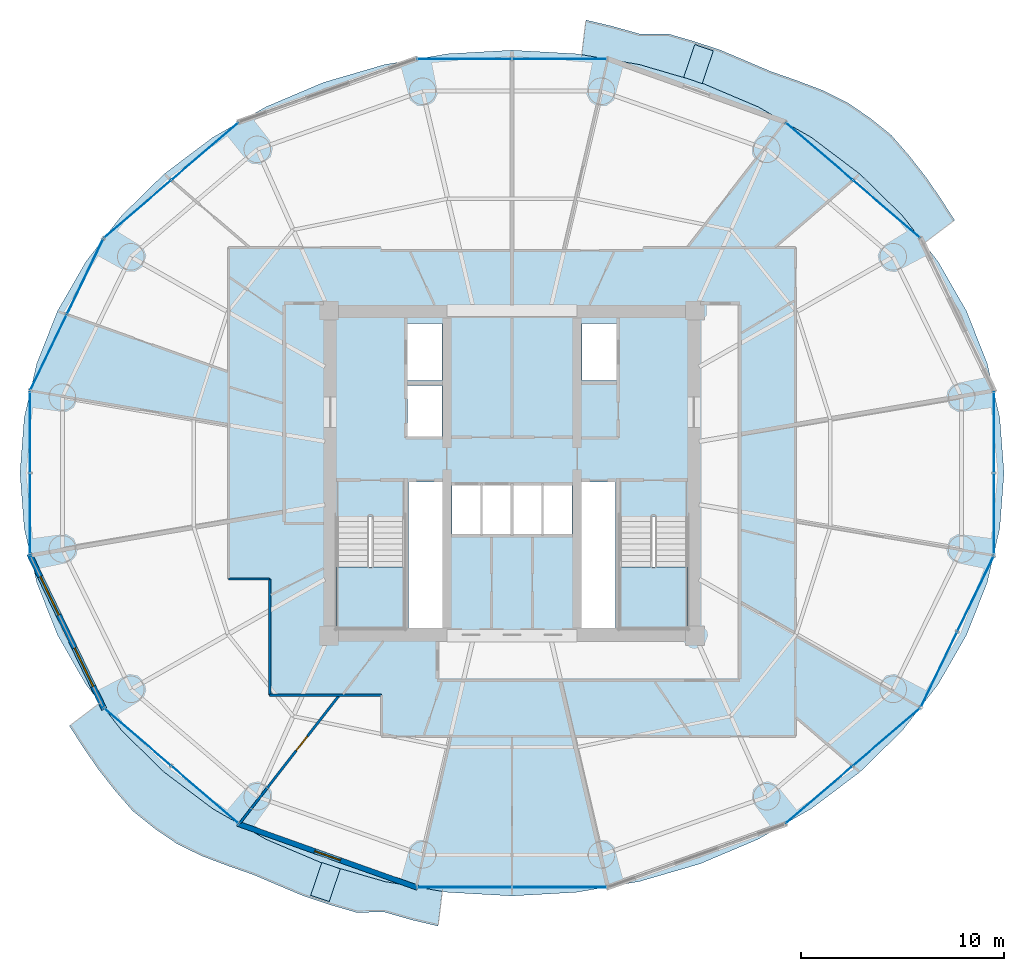
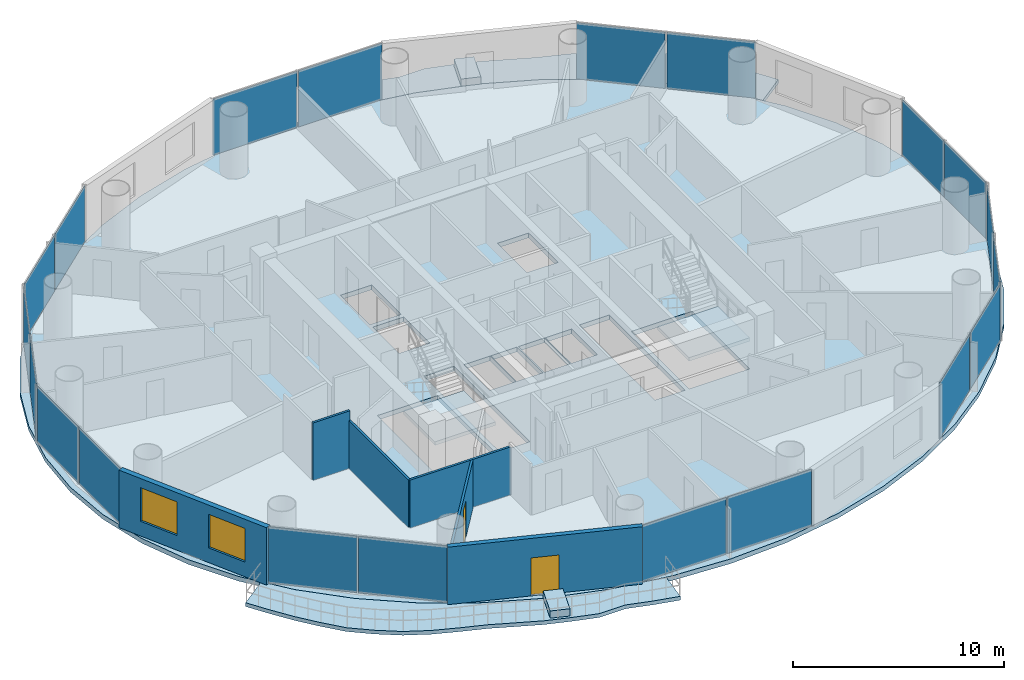
# One storey, part 19 of 26: 20 plates, 7 slabs, 6 walls, 2 doors, 2 windows, 4 openings, 12 elements without a shape of their own.
"""IFC4 building model written with IfcOpenShell, lengths in metres."""

from ifc_helpers import new_model, si_unit, direction, frame, frame_2d, origin, origin_2d, place, context, subcontext, project, spatial, polyline, rectangle, outline, extrude, source, transform, mapped, material, layer, layer_set, type_object, element, fill, aggregate, save


model = new_model("IFC4")

# Units and contexts
model_context = context("Model", 3, precision=1e-05, world=origin(), true_north=direction((-0.2419218956, 0.970295726276)))
body_context = subcontext(model_context, "Body", "Model", "MODEL_VIEW")
ifc_project = project(units=[si_unit("LENGTHUNIT", "METRE"), si_unit("AREAUNIT", "SQUARE_METRE"), si_unit("VOLUMEUNIT", "CUBIC_METRE"), si_unit("PLANEANGLEUNIT", "RADIAN"), si_unit("MASSUNIT", "GRAM", prefix="KILO")], contexts=[model_context])

# Site, building, storey
site_placement = place(None, origin())
site = spatial("IfcSite", under=ifc_project, at=site_placement, CompositionType="ELEMENT")
building_placement = place(site_placement, origin())
building = spatial("IfcBuilding", under=site, at=building_placement, Name="Cobrevalo Terracotta Tower", CompositionType="ELEMENT")
storey_placement = place(building_placement, frame((0.0, 0.0, 135.39990234375)))
storey = spatial("IfcBuildingStorey", under=building, at=storey_placement, Name="L35", CompositionType="ELEMENT", Elevation=135.39990234375)

# Stair, slab
ifc_material_1 = material(Name="Concrete C50", Category="concrete")
stair_type = type_object("IfcStairType", Name="Core protected escape dogleg stair 1600", PredefinedType="HALF_TURN_STAIR", material=ifc_material_1)
stair_1_placement = place(storey_placement, origin())
stair_1 = element("IfcStair", 1, at=stair_1_placement, inside=storey, type_object=stair_type, Name="L35 Protected exit stair ST-1", PredefinedType="HALF_TURN_STAIR")
ifc_layer_1 = layer(ifc_material_1, 0.199951171875)
ifc_layer_set_1 = layer_set([ifc_layer_1], Name="Concrete C50")
slab_type_1 = type_object("IfcSlabType", Name="Reinforced Concrete Stair Landing 200", PredefinedType="LANDING", material=ifc_layer_set_1)
slab_1_placement = place(storey_placement, frame((0.0, 0.0, 1.60009765625)))
slab_1 = element("IfcSlab", 2, at=slab_1_placement, type_object=slab_type_1, Name="ST-1 landing 1", PredefinedType="LANDING", context=body_context, shape_type="SweptSolid", body=[
    extrude(outline(polyline([(29.375, 22.179931640625), (29.375, 19.175048828125), (32.695068359375, 19.175048828125), (32.695068359375, 22.179931640625), (29.375, 22.179931640625)])), origin(), (0.0, 0.0, 1.0), 0.199951171875),
])
aggregate(stair_1, [slab_1])

stair_2_placement = place(storey_placement, origin())
stair_2 = element("IfcStair", 3, at=stair_2_placement, inside=storey, type_object=stair_type, Name="L35 Protected exit stair ST-2", PredefinedType="HALF_TURN_STAIR")
slab_2_placement = place(storey_placement, frame((0.0, 0.0, 1.60009765625)))
slab_2 = element("IfcSlab", 4, at=slab_2_placement, type_object=slab_type_1, Name="ST-2 landing 1", PredefinedType="LANDING", context=body_context, shape_type="SweptSolid", body=[
    extrude(outline(polyline([(43.304931640625, 22.179931640625), (43.304931640625, 19.175048828125), (46.625, 19.175048828125), (46.625, 22.179931640625), (43.304931640625, 22.179931640625)])), origin(), (0.0, 0.0, 1.0), 0.199951171875),
])
aggregate(stair_2, [slab_2])

# Slabs
ifc_material_2 = material(Name="Concrete C45", Category="concrete")
ifc_layer_2 = layer(ifc_material_2, 0.219970703125)
ifc_layer_set_2 = layer_set([ifc_layer_2], Name="Concrete C45")
slab_type_2 = type_object("IfcSlabType", Name="Spiralling cantilevered balcony lobe slab 220 mm", PredefinedType="FLOOR", material=ifc_layer_set_2)
slab_3_placement = place(storey_placement, frame((0.0, 0.0, -0.219970703125)))
element("IfcSlab", 5, at=slab_3_placement, inside=storey, type_object=slab_type_2, Name="L35 spiralling arc balcony slab lobe 1", PredefinedType="FLOOR", context=body_context, shape_type="SweptSolid", body=[
    extrude(outline(polyline([(59.774169921875, 39.22900390625), (59.079833984375, 40.3076171875), (58.340087890625, 41.3779296875), (57.524658203125, 42.41796875), (56.653564453125, 43.420654296875), (55.607177734375, 44.2626953125), (54.5, 45.020263671875), (53.285888671875, 45.62109375), (52.010498046875, 46.10498046875), (50.73779296875, 46.549560546875), (49.4990234375, 47.077392578125), (48.259765625, 47.6005859375), (46.97509765625, 48.026611328125), (45.670166015625, 48.407470703125), (44.27685546875, 48.396484375), (42.968505859375, 48.76953125), (41.639892578125, 49.08447265625), (41.4296875, 47.377685546875), (44.263916015625, 46.893310546875), (47.26171875, 46.0185546875), (50.10107421875, 44.81494140625), (52.733154296875, 43.30322265625), (55.11328125, 41.50927734375), (57.20068359375, 39.46337890625), (58.266845703125, 38.092041015625), (59.774169921875, 39.22900390625)])), origin(), (0.0, 0.0, 1.0), 0.219970703125),
])
slab_4_placement = place(storey_placement, frame((0.0, 0.0, -0.219970703125)))
element("IfcSlab", 6, at=slab_4_placement, inside=storey, type_object=slab_type_2, Name="L35 spiralling arc balcony slab lobe 2", PredefinedType="FLOOR", context=body_context, shape_type="SweptSolid", body=[
    extrude(outline(polyline([(16.225830078125, 14.370849609375), (16.920166015625, 13.29248046875), (17.659912109375, 12.221923828125), (18.475341796875, 11.18212890625), (19.346435546875, 10.179443359375), (20.392822265625, 9.33740234375), (21.5, 8.579833984375), (22.714111328125, 7.97900390625), (23.989501953125, 7.494873046875), (25.26220703125, 7.05029296875), (26.5009765625, 6.522705078125), (27.740234375, 5.999267578125), (29.02490234375, 5.573486328125), (30.329833984375, 5.1923828125), (31.72314453125, 5.203369140625), (33.031494140625, 4.830322265625), (34.360107421875, 4.515625), (34.5703125, 6.22216796875), (31.736083984375, 6.706787109375), (28.73828125, 7.58154296875), (25.89892578125, 8.784912109375), (23.266845703125, 10.296630859375), (20.88671875, 12.0908203125), (18.79931640625, 14.136474609375), (17.733154296875, 15.5078125), (16.225830078125, 14.370849609375)])), origin(), (0.0, 0.0, 1.0), 0.219970703125),
])
ifc_material_3 = material(Name="Precast concrete C45", Category="concrete")
ifc_layer_3 = layer(ifc_material_3, 0.419921875)
ifc_layer_set_3 = layer_set([ifc_layer_3], Name="Precast concrete C45")
slab_type_3 = type_object("IfcSlabType", Name="Structural tree planter trough base 420 mm", PredefinedType="USERDEFINED", material=ifc_layer_set_3)
slab_5_placement = place(storey_placement, origin())
element("IfcSlab", 7, at=slab_5_placement, inside=storey, type_object=slab_type_3, Name="L35 structural tree planter trough 1", ObjectType="PLANTER", PredefinedType="USERDEFINED", context=body_context, shape_type="SweptSolid", body=[
    extrude(outline(polyline([(47.35302734375, 45.95654296875), (47.900634765625, 47.56591796875), (46.991943359375, 47.875), (46.4443359375, 46.265625), (47.35302734375, 45.95654296875)])), origin(), (0.0, 0.0, 1.0), 0.420166015625),
])
slab_6_placement = place(storey_placement, origin())
element("IfcSlab", 8, at=slab_6_placement, inside=storey, type_object=slab_type_3, Name="L35 structural tree planter trough 2", ObjectType="PLANTER", PredefinedType="USERDEFINED", context=body_context, shape_type="SweptSolid", body=[
    extrude(outline(polyline([(28.64697265625, 7.6435546875), (28.099365234375, 6.0341796875), (29.008056640625, 5.724853515625), (29.5556640625, 7.334228515625), (28.64697265625, 7.6435546875)])), origin(), (0.0, 0.0, 1.0), 0.420166015625),
])
ifc_layer_4 = layer(ifc_material_1, 0.27001953125)
ifc_layer_set_4 = layer_set([ifc_layer_4], Name="Concrete C50")
slab_type_4 = type_object("IfcSlabType", Name="Zone Z3 elliptical floor plate 270 mm", PredefinedType="FLOOR", material=ifc_layer_set_4)
slab_7_placement = place(storey_placement, frame((0.0, 0.0, -0.27001953125)))
element("IfcSlab", 9, at=slab_7_placement, inside=storey, type_object=slab_type_4, Name="L35 indoor elliptical floor slab", PredefinedType="FLOOR", context=body_context, shape_type="SweptSolid", body=[
    extrude(outline(polyline([(61.992919921875, 24.0849609375), (61.37548828125, 21.41650390625), (60.35791015625, 18.840087890625), (58.957763671875, 16.39990234375), (57.19921875, 14.1376953125), (55.112060546875, 12.09228515625), (52.73193359375, 10.29833984375), (50.10009765625, 8.78662109375), (47.260986328125, 7.583251953125), (44.263427734375, 6.708740234375), (41.15869140625, 6.177978515625), (38.0, 6.0), (34.84130859375, 6.177978515625), (31.736572265625, 6.708740234375), (28.739013671875, 7.583251953125), (25.89990234375, 8.78662109375), (23.26806640625, 10.29833984375), (20.887939453125, 12.09228515625), (18.80078125, 14.1376953125), (17.042236328125, 16.39990234375), (15.64208984375, 18.840087890625), (14.62451171875, 21.41650390625), (14.007080078125, 24.0849609375), (13.800048828125, 26.800048828125), (14.007080078125, 29.514892578125), (14.62451171875, 32.183349609375), (15.64208984375, 34.759765625), (17.042236328125, 37.199951171875), (18.80078125, 39.462158203125), (20.887939453125, 41.5078125), (23.26806640625, 43.3017578125), (25.89990234375, 44.813232421875), (28.739013671875, 46.0166015625), (31.736572265625, 46.891357421875), (34.84130859375, 47.422119140625), (38.0, 47.60009765625), (41.15869140625, 47.422119140625), (44.263427734375, 46.891357421875), (47.260986328125, 46.0166015625), (50.10009765625, 44.813232421875), (52.73193359375, 43.3017578125), (55.112060546875, 41.5078125), (57.19921875, 39.462158203125), (58.957763671875, 37.199951171875), (60.35791015625, 34.759765625), (61.37548828125, 32.183349609375), (61.992919921875, 29.514892578125), (62.199951171875, 26.800048828125), (61.992919921875, 24.0849609375)]), holes=[polyline([(32.695068359375, 19.175048828125), (32.695068359375, 24.659912109375), (29.375, 24.659912109375), (29.375, 19.175048828125), (32.695068359375, 19.175048828125)]), polyline([(34.574951171875, 26.360107421875), (32.919921875, 26.360107421875), (32.919921875, 19.175048828125), (34.574951171875, 19.175048828125), (34.574951171875, 26.360107421875)]), polyline([(36.47998046875, 26.25), (35.050048828125, 26.25), (35.050048828125, 23.800048828125), (36.47998046875, 23.800048828125), (36.47998046875, 26.25)]), polyline([(37.9599609375, 23.800048828125), (37.9599609375, 26.25), (36.530029296875, 26.25), (36.530029296875, 23.800048828125), (37.9599609375, 23.800048828125)]), polyline([(34.550048828125, 28.60009765625), (34.550048828125, 31.10009765625), (32.85009765625, 31.10009765625), (32.85009765625, 28.60009765625), (34.550048828125, 28.60009765625)]), polyline([(34.550048828125, 34.14990234375), (32.85009765625, 34.14990234375), (32.85009765625, 31.35009765625), (34.550048828125, 31.35009765625), (34.550048828125, 34.14990234375)]), polyline([(43.304931640625, 19.175048828125), (46.625, 19.175048828125), (46.625, 24.659912109375), (43.304931640625, 24.659912109375), (43.304931640625, 19.175048828125)]), polyline([(43.080078125, 19.175048828125), (43.080078125, 26.360107421875), (41.425048828125, 26.360107421875), (41.425048828125, 19.175048828125), (43.080078125, 19.175048828125)]), polyline([(39.469970703125, 26.25), (38.0400390625, 26.25), (38.0400390625, 23.800048828125), (39.469970703125, 23.800048828125), (39.469970703125, 26.25)]), polyline([(40.949951171875, 23.800048828125), (40.949951171875, 26.25), (39.52001953125, 26.25), (39.52001953125, 23.800048828125), (40.949951171875, 23.800048828125)]), polyline([(43.14990234375, 31.35009765625), (43.14990234375, 34.14990234375), (41.449951171875, 34.14990234375), (41.449951171875, 31.35009765625), (43.14990234375, 31.35009765625)])]), origin(), (0.0, 0.0, 1.0), 0.27001953125),
])

# Curtain wall, plates
ifc_material_4 = material(Name="Anodized aluminium", Category="aluminium")
curtain_wall_type = type_object("IfcCurtainWallType", Name="Mid-tower high-wind unitised curtain wall CW-U2", PredefinedType="NOTDEFINED", material=ifc_material_4)
curtain_wall_1_placement = place(storey_placement, origin())
curtain_wall_1 = element("IfcCurtainWall", 10, at=curtain_wall_1_placement, inside=storey, type_object=curtain_wall_type, Name="L35 curtain wall CW-L35-S02", PredefinedType="NOTDEFINED")
ifc_material_5 = material(Name="Solar-control low-E double glazing", Category="glass")
ifc_layer_5 = layer(ifc_material_5, 0.028076171875)
ifc_layer_set_5 = layer_set([ifc_layer_5], Name="Solar-control low-E double glazing")
plate_type = type_object("IfcPlateType", Name="Tower solar-control low-E vision glass panel 28 mm", PredefinedType="CURTAIN_PANEL", material=ifc_layer_set_5)
shared_shape_1 = source(origin(), body_context, "Body", "SweptSolid", [
    extrude(rectangle(XDim=4.276123046875, YDim=0.035888671875, at=origin_2d()), origin(), (0.0, 0.0, 1.0), 3.25),
])
plate_1_placement = place(storey_placement, frame((56.414306640625, 39.784912109375, 0.0400390625), z_axis=(0.0, 0.0, 1.0), x_axis=(-0.758436996112, 0.651746363955, 0.0)))
plate_1 = element("IfcPlate", 11, at=plate_1_placement, type_object=plate_type, Name="CW-L35-S02 glazing panel B01", PredefinedType="CURTAIN_PANEL", context=body_context, shape_type="MappedRepresentation", body=[
    mapped(shared_shape_1, transform((0.0, 0.0, 0.0), scale=1.0)),
])
plate_2_placement = place(storey_placement, frame((53.1103515625, 42.6240234375, 0.0400390625), z_axis=(0.0, 0.0, 1.0), x_axis=(-0.758436996112, 0.651746363955, 0.0)))
plate_2 = element("IfcPlate", 12, at=plate_2_placement, type_object=plate_type, Name="CW-L35-S02 glazing panel B02", PredefinedType="CURTAIN_PANEL", context=body_context, shape_type="MappedRepresentation", body=[
    mapped(shared_shape_1, transform((0.0, 0.0, 0.0), scale=1.0)),
])
aggregate(curtain_wall_1, [plate_1, plate_2])

curtain_wall_2_placement = place(storey_placement, origin())
curtain_wall_2 = element("IfcCurtainWall", 13, at=curtain_wall_2_placement, inside=storey, type_object=curtain_wall_type, Name="L35 curtain wall CW-L35-S06", PredefinedType="NOTDEFINED")
plate_3_placement = place(storey_placement, frame((22.8896484375, 42.6240234375, 0.0400390625), z_axis=(0.0, 0.0, 1.0), x_axis=(-0.758436996112, -0.651746363955, 0.0)))
plate_3 = element("IfcPlate", 14, at=plate_3_placement, type_object=plate_type, Name="CW-L35-S06 glazing panel B01", PredefinedType="CURTAIN_PANEL", context=body_context, shape_type="MappedRepresentation", body=[
    mapped(shared_shape_1, transform((0.0, 0.0, 0.0), scale=1.0)),
])
plate_4_placement = place(storey_placement, frame((19.585693359375, 39.784912109375, 0.0400390625), z_axis=(0.0, 0.0, 1.0), x_axis=(-0.758436996112, -0.651746363955, 0.0)))
plate_4 = element("IfcPlate", 15, at=plate_4_placement, type_object=plate_type, Name="CW-L35-S06 glazing panel B02", PredefinedType="CURTAIN_PANEL", context=body_context, shape_type="MappedRepresentation", body=[
    mapped(shared_shape_1, transform((0.0, 0.0, 0.0), scale=1.0)),
])
aggregate(curtain_wall_2, [plate_3, plate_4])

curtain_wall_3_placement = place(storey_placement, origin())
curtain_wall_3 = element("IfcCurtainWall", 16, at=curtain_wall_3_placement, inside=storey, type_object=curtain_wall_type, Name="L35 curtain wall CW-L35-S10", PredefinedType="NOTDEFINED")
plate_5_placement = place(storey_placement, frame((19.585693359375, 13.815185546875, 0.0400390625), z_axis=(0.0, 0.0, 1.0), x_axis=(0.758436996112, -0.651746363955, 0.0)))
plate_5 = element("IfcPlate", 17, at=plate_5_placement, type_object=plate_type, Name="CW-L35-S10 glazing panel B01", PredefinedType="CURTAIN_PANEL", context=body_context, shape_type="MappedRepresentation", body=[
    mapped(shared_shape_1, transform((0.0, 0.0, 0.0), scale=1.0)),
])
plate_6_placement = place(storey_placement, frame((22.8896484375, 10.97607421875, 0.0400390625), z_axis=(0.0, 0.0, 1.0), x_axis=(0.758436996112, -0.651746363955, 0.0)))
plate_6 = element("IfcPlate", 18, at=plate_6_placement, type_object=plate_type, Name="CW-L35-S10 glazing panel B02", PredefinedType="CURTAIN_PANEL", context=body_context, shape_type="MappedRepresentation", body=[
    mapped(shared_shape_1, transform((0.0, 0.0, 0.0), scale=1.0)),
])
aggregate(curtain_wall_3, [plate_5, plate_6])

curtain_wall_4_placement = place(storey_placement, origin())
curtain_wall_4 = element("IfcCurtainWall", 19, at=curtain_wall_4_placement, inside=storey, type_object=curtain_wall_type, Name="L35 curtain wall CW-L35-S14", PredefinedType="NOTDEFINED")
plate_7_placement = place(storey_placement, frame((53.1103515625, 10.97607421875, 0.0400390625), z_axis=(0.0, 0.0, 1.0), x_axis=(0.758436996112, 0.651746363955, 0.0)))
plate_7 = element("IfcPlate", 20, at=plate_7_placement, type_object=plate_type, Name="CW-L35-S14 glazing panel B01", PredefinedType="CURTAIN_PANEL", context=body_context, shape_type="MappedRepresentation", body=[
    mapped(shared_shape_1, transform((0.0, 0.0, 0.0), scale=1.0)),
])
plate_8_placement = place(storey_placement, frame((56.414306640625, 13.815185546875, 0.0400390625), z_axis=(0.0, 0.0, 1.0), x_axis=(0.758436996112, 0.651746363955, 0.0)))
plate_8 = element("IfcPlate", 21, at=plate_8_placement, type_object=plate_type, Name="CW-L35-S14 glazing panel B02", PredefinedType="CURTAIN_PANEL", context=body_context, shape_type="MappedRepresentation", body=[
    mapped(shared_shape_1, transform((0.0, 0.0, 0.0), scale=1.0)),
])
aggregate(curtain_wall_4, [plate_7, plate_8])

curtain_wall_5_placement = place(storey_placement, origin())
curtain_wall_5 = element("IfcCurtainWall", 22, at=curtain_wall_5_placement, inside=storey, type_object=curtain_wall_type, Name="L35 curtain wall CW-L35-S04", PredefinedType="NOTDEFINED")
shared_shape_2 = source(origin(), body_context, "Body", "SweptSolid", [
    extrude(rectangle(XDim=4.59521484375, YDim=0.035888671875, at=origin_2d()), origin(), (0.0, 0.0, 1.0), 3.25),
])
plate_9_placement = place(storey_placement, frame((40.337646484375, 47.1708984375, 0.0400390625), z_axis=(0.0, 0.0, 1.0), x_axis=(-1.0, 0.0, 0.0)))
plate_9 = element("IfcPlate", 23, at=plate_9_placement, type_object=plate_type, Name="CW-L35-S04 glazing panel B01", PredefinedType="CURTAIN_PANEL", context=body_context, shape_type="MappedRepresentation", body=[
    mapped(shared_shape_2, transform((0.0, 0.0, 0.0), scale=1.0)),
])
plate_10_placement = place(storey_placement, frame((35.662353515625, 47.1708984375, 0.0400390625), z_axis=(0.0, 0.0, 1.0), x_axis=(-1.0, 0.0, 0.0)))
plate_10 = element("IfcPlate", 24, at=plate_10_placement, type_object=plate_type, Name="CW-L35-S04 glazing panel B02", PredefinedType="CURTAIN_PANEL", context=body_context, shape_type="MappedRepresentation", body=[
    mapped(shared_shape_2, transform((0.0, 0.0, 0.0), scale=1.0)),
])
aggregate(curtain_wall_5, [plate_9, plate_10])

curtain_wall_6_placement = place(storey_placement, origin())
curtain_wall_6 = element("IfcCurtainWall", 25, at=curtain_wall_6_placement, inside=storey, type_object=curtain_wall_type, Name="L35 curtain wall CW-L35-S12", PredefinedType="NOTDEFINED")
plate_11_placement = place(storey_placement, frame((35.662353515625, 6.42919921875, 0.0400390625), z_axis=(0.0, 0.0, 1.0), x_axis=(1.0, 0.0, 0.0)))
plate_11 = element("IfcPlate", 26, at=plate_11_placement, type_object=plate_type, Name="CW-L35-S12 glazing panel B01", PredefinedType="CURTAIN_PANEL", context=body_context, shape_type="MappedRepresentation", body=[
    mapped(shared_shape_2, transform((0.0, 0.0, 0.0), scale=1.0)),
])
plate_12_placement = place(storey_placement, frame((40.337646484375, 6.42919921875, 0.0400390625), z_axis=(0.0, 0.0, 1.0), x_axis=(1.0, 0.0, 0.0)))
plate_12 = element("IfcPlate", 27, at=plate_12_placement, type_object=plate_type, Name="CW-L35-S12 glazing panel B02", PredefinedType="CURTAIN_PANEL", context=body_context, shape_type="MappedRepresentation", body=[
    mapped(shared_shape_2, transform((0.0, 0.0, 0.0), scale=1.0)),
])
aggregate(curtain_wall_6, [plate_11, plate_12])

curtain_wall_7_placement = place(storey_placement, origin())
curtain_wall_7 = element("IfcCurtainWall", 28, at=curtain_wall_7_placement, inside=storey, type_object=curtain_wall_type, Name="L35 curtain wall CW-L35-S07", PredefinedType="NOTDEFINED")
shared_shape_3 = source(origin(), body_context, "Body", "SweptSolid", [
    extrude(rectangle(XDim=4.035888671875, YDim=0.035888671875, at=origin_2d()), origin(), (0.0, 0.0, 1.0), 3.25),
])
plate_13_placement = place(storey_placement, frame((16.992431640625, 36.449462890625, 0.0400390625), z_axis=(0.0, 0.0, 1.0), x_axis=(-0.434209440271, -0.900811945957, 0.0)))
plate_13 = element("IfcPlate", 29, at=plate_13_placement, type_object=plate_type, Name="CW-L35-S07 glazing panel B01", PredefinedType="CURTAIN_PANEL", context=body_context, shape_type="MappedRepresentation", body=[
    mapped(shared_shape_3, transform((0.0, 0.0, 0.0), scale=1.0)),
])
plate_14_placement = place(storey_placement, frame((15.205322265625, 32.741943359375, 0.0400390625), z_axis=(0.0, 0.0, 1.0), x_axis=(-0.434209440271, -0.900811945957, 0.0)))
plate_14 = element("IfcPlate", 30, at=plate_14_placement, type_object=plate_type, Name="CW-L35-S07 glazing panel B02", PredefinedType="CURTAIN_PANEL", context=body_context, shape_type="MappedRepresentation", body=[
    mapped(shared_shape_3, transform((0.0, 0.0, 0.0), scale=1.0)),
])
aggregate(curtain_wall_7, [plate_13, plate_14])

curtain_wall_8_placement = place(storey_placement, origin())
curtain_wall_8 = element("IfcCurtainWall", 31, at=curtain_wall_8_placement, inside=storey, type_object=curtain_wall_type, Name="L35 curtain wall CW-L35-S15", PredefinedType="NOTDEFINED")
plate_15_placement = place(storey_placement, frame((59.007568359375, 17.150634765625, 0.0400390625), z_axis=(0.0, 0.0, 1.0), x_axis=(0.434209440271, 0.900811945957, 0.0)))
plate_15 = element("IfcPlate", 32, at=plate_15_placement, type_object=plate_type, Name="CW-L35-S15 glazing panel B01", PredefinedType="CURTAIN_PANEL", context=body_context, shape_type="MappedRepresentation", body=[
    mapped(shared_shape_3, transform((0.0, 0.0, 0.0), scale=1.0)),
])
plate_16_placement = place(storey_placement, frame((60.794677734375, 20.858154296875, 0.0400390625), z_axis=(0.0, 0.0, 1.0), x_axis=(0.434209440271, 0.900811945957, 0.0)))
plate_16 = element("IfcPlate", 33, at=plate_16_placement, type_object=plate_type, Name="CW-L35-S15 glazing panel B02", PredefinedType="CURTAIN_PANEL", context=body_context, shape_type="MappedRepresentation", body=[
    mapped(shared_shape_3, transform((0.0, 0.0, 0.0), scale=1.0)),
])
aggregate(curtain_wall_8, [plate_15, plate_16])

curtain_wall_9_placement = place(storey_placement, origin())
curtain_wall_9 = element("IfcCurtainWall", 34, at=curtain_wall_9_placement, inside=storey, type_object=curtain_wall_type, Name="L35 curtain wall CW-L35-S08", PredefinedType="NOTDEFINED")
shared_shape_4 = source(origin(), body_context, "Body", "SweptSolid", [
    extrude(rectangle(XDim=3.931884765625, YDim=0.035888671875, at=origin_2d()), origin(), (0.0, 0.0, 1.0), 3.25),
])
plate_17_placement = place(storey_placement, frame((14.29443359375, 28.805908203125, 0.0400390625), z_axis=(0.0, 0.0, 1.0), x_axis=(0.0, -1.0, 0.0)))
plate_17 = element("IfcPlate", 35, at=plate_17_placement, type_object=plate_type, Name="CW-L35-S08 glazing panel B01", PredefinedType="CURTAIN_PANEL", context=body_context, shape_type="MappedRepresentation", body=[
    mapped(shared_shape_4, transform((0.0, 0.0, 0.0), scale=1.0)),
])
plate_18_placement = place(storey_placement, frame((14.29443359375, 24.7939453125, 0.0400390625), z_axis=(0.0, 0.0, 1.0), x_axis=(0.0, -1.0, 0.0)))
plate_18 = element("IfcPlate", 36, at=plate_18_placement, type_object=plate_type, Name="CW-L35-S08 glazing panel B02", PredefinedType="CURTAIN_PANEL", context=body_context, shape_type="MappedRepresentation", body=[
    mapped(shared_shape_4, transform((0.0, 0.0, 0.0), scale=1.0)),
])
aggregate(curtain_wall_9, [plate_17, plate_18])

curtain_wall_10_placement = place(storey_placement, origin())
curtain_wall_10 = element("IfcCurtainWall", 37, at=curtain_wall_10_placement, inside=storey, type_object=curtain_wall_type, Name="L35 curtain wall CW-L35-S16", PredefinedType="NOTDEFINED")
plate_19_placement = place(storey_placement, frame((61.70556640625, 24.7939453125, 0.0400390625), z_axis=(0.0, 0.0, 1.0), x_axis=(0.0, 1.0, 0.0)))
plate_19 = element("IfcPlate", 38, at=plate_19_placement, type_object=plate_type, Name="CW-L35-S16 glazing panel B01", PredefinedType="CURTAIN_PANEL", context=body_context, shape_type="MappedRepresentation", body=[
    mapped(shared_shape_4, transform((0.0, 0.0, 0.0), scale=1.0)),
])
plate_20_placement = place(storey_placement, frame((61.70556640625, 28.805908203125, 0.0400390625), z_axis=(0.0, 0.0, 1.0), x_axis=(0.0, 1.0, 0.0)))
plate_20 = element("IfcPlate", 39, at=plate_20_placement, type_object=plate_type, Name="CW-L35-S16 glazing panel B02", PredefinedType="CURTAIN_PANEL", context=body_context, shape_type="MappedRepresentation", body=[
    mapped(shared_shape_4, transform((0.0, 0.0, 0.0), scale=1.0)),
])
aggregate(curtain_wall_10, [plate_19, plate_20])

# Wall, openings, windows
ifc_material_6 = material(Name="Autoclaved aerated concrete block", Category="concrete")
ifc_layer_6 = layer(ifc_material_6, 0.280029296875)
ifc_layer_set_6 = layer_set([ifc_layer_6], Name="Autoclaved aerated concrete block")
wall_type_1 = type_object("IfcWallType", Name="Insulated tower spandrel & pier wall 280 mm with terracotta rainscreen", PredefinedType="SOLIDWALL", material=ifc_layer_set_6)
wall_1_placement = place(storey_placement, frame((14.259765625, 22.820068359375, 0.0), z_axis=(0.0, 0.0, 1.0), x_axis=(0.434209827226, -0.900811759437, 0.0)))
wall_1 = element("IfcWall", 40, at=wall_1_placement, inside=storey, type_object=wall_type_1, Name="L35 terracotta rainscreen pier wall S09", PredefinedType="SOLIDWALL", context=body_context, shape_type="SweptSolid", body=[
    extrude(rectangle(XDim=8.4716796875, YDim=0.280029296875, at=frame_2d((4.23583984375, 0.0))), origin(), (0.0, 0.0, 1.0), 3.330078125),
])
opening_1_placement = place(wall_1_placement, frame((1.2373046875, 0.0, 0.85009765625)))
opening_1 = element("IfcOpeningElement", 41, at=opening_1_placement, cuts=wall_1, Name="Opening WN-10", PredefinedType="OPENING", context=body_context, shape_type="SweptSolid", body=[
    extrude(rectangle(XDim=2.10009765625, YDim=1.949951171875, at=frame_2d((1.050048828125, 0.97509765625))), frame((0.0, 0.14990234375, 0.0), z_axis=(0.0, -1.0, 0.0), x_axis=(1.0, 0.0, 0.0)), (0.0, 0.0, 1.0), 0.300048828125),
])
opening_2_placement = place(wall_1_placement, frame((5.13427734375, 0.0, 0.85009765625)))
opening_2 = element("IfcOpeningElement", 42, at=opening_2_placement, cuts=wall_1, Name="Opening WN-10", PredefinedType="OPENING", context=body_context, shape_type="SweptSolid", body=[
    extrude(rectangle(XDim=2.10009765625, YDim=1.949951171875, at=frame_2d((1.050048828125, 0.97509765625))), frame((0.0, 0.14990234375, 0.0), z_axis=(0.0, -1.0, 0.0), x_axis=(1.0, 0.0, 0.0)), (0.0, 0.0, 1.0), 0.300048828125),
])
window_type = type_object("IfcWindowType", Name="Wide panoramic low-E aluminium window 2100x1950", PartitioningType="SINGLE_PANEL", PredefinedType="WINDOW", material=ifc_material_5)
shared_shape_5 = source(origin(), body_context, "Body", "SweptSolid", [
    extrude(rectangle(XDim=2.10009765625, YDim=1.949951171875, at=frame_2d((1.050048828125, 0.97509765625))), frame((0.0, 0.030029296875, 0.0), z_axis=(0.0, -1.0, 0.0), x_axis=(1.0, 0.0, 0.0)), (0.0, 0.0, 1.0), 0.06005859375),
])
window_1_placement = place(opening_1_placement, origin())
window_1 = element("IfcWindow", 43, at=window_1_placement, inside=storey, type_object=window_type, Name="L35 suite window S09A", OverallHeight=1.949951171875, OverallWidth=2.10009765625, PartitioningType="SINGLE_PANEL", PredefinedType="WINDOW", context=body_context, shape_type="MappedRepresentation", body=[
    mapped(shared_shape_5, transform((0.0, 0.0, 0.0), scale=1.0)),
])
fill(opening_1, window_1)
window_2_placement = place(opening_2_placement, origin())
window_2 = element("IfcWindow", 44, at=window_2_placement, inside=storey, type_object=window_type, Name="L35 suite window S09B", OverallHeight=1.949951171875, OverallWidth=2.10009765625, PartitioningType="SINGLE_PANEL", PredefinedType="WINDOW", context=body_context, shape_type="MappedRepresentation", body=[
    mapped(shared_shape_5, transform((0.0, 0.0, 0.0), scale=1.0)),
])
fill(opening_2, window_2)

# Wall, opening, door
ifc_layer_7 = layer(ifc_material_6, 0.260009765625)
ifc_layer_set_7 = layer_set([ifc_layer_7], Name="Autoclaved aerated concrete block")
wall_type_2 = type_object("IfcWallType", Name="Recessed balcony loggia insulated exterior wall 260 mm", PredefinedType="SOLIDWALL", material=ifc_layer_set_7)
wall_2_placement = place(storey_placement, frame((24.49658203125, 9.55712890625, 0.0), z_axis=(0.0, 0.0, 1.0), x_axis=(0.942103604331, -0.335321932934, 0.0)))
wall_2 = element("IfcWall", 45, at=wall_2_placement, inside=storey, type_object=wall_type_2, Name="L35 balcony loggia wall S11", PredefinedType="SOLIDWALL", context=body_context, shape_type="SweptSolid", body=[
    extrude(rectangle(XDim=9.408203125, YDim=0.260009765625, at=frame_2d((4.7041015625, 0.0))), origin(), (0.0, 0.0, 1.0), 3.330078125),
])
opening_3_placement = place(wall_2_placement, frame((4.029052734375, 0.0, 0.0)))
opening_3 = element("IfcOpeningElement", 46, at=opening_3_placement, cuts=wall_2, Name="Opening ED-05", PredefinedType="OPENING", context=body_context, shape_type="SweptSolid", body=[
    extrude(rectangle(XDim=1.35009765625, YDim=2.199951171875, at=frame_2d((0.675048828125, 1.10009765625))), frame((0.0, 0.14013671875, 0.0), z_axis=(0.0, -1.0, 0.0), x_axis=(1.0, 0.0, 0.0)), (0.0, 0.0, 1.0), 0.280029296875),
])
ifc_material_7 = material(Name="Anodized aluminium and laminated glass", Category="aluminium")
door_type_1 = type_object("IfcDoorType", Name="Suite balcony acoustic glazed terrace door 1350x2200", OperationType="NOTDEFINED", PredefinedType="DOOR", material=ifc_material_7)
shared_shape_6 = source(origin(), body_context, "Body", "SweptSolid", [
    extrude(rectangle(XDim=1.35009765625, YDim=2.199951171875, at=frame_2d((0.675048828125, 1.10009765625))), frame((0.0, 0.02490234375, 0.0), z_axis=(0.0, -1.0, 0.0), x_axis=(1.0, 0.0, 0.0)), (0.0, 0.0, 1.0), 0.050048828125),
])
door_1_placement = place(opening_3_placement, frame((1.35009765625, 0.0, 0.0), z_axis=(0.0, 0.0, 1.0), x_axis=(-1.0, 0.0, 0.0)))
door_1 = element("IfcDoor", 47, at=door_1_placement, inside=storey, type_object=door_type_1, Name="L35 glazed balcony terrace door 2", OperationType="SINGLE_SWING_RIGHT", OverallHeight=2.199951171875, OverallWidth=1.35009765625, PredefinedType="DOOR", context=body_context, shape_type="MappedRepresentation", body=[
    mapped(shared_shape_6, transform((0.0, 0.0, 0.0), scale=1.0)),
])
fill(opening_3, door_1)

# Walls
ifc_material_8 = material(Name="Gypsum board on steel stud", Category="steel")
ifc_layer_8 = layer(ifc_material_8, 0.1201171875)
ifc_layer_set_8 = layer_set([ifc_layer_8], Name="Gypsum board on steel stud")
wall_type_3 = type_object("IfcWallType", Name="Residential internal acoustic stud partition 120 mm", PredefinedType="PARTITIONING", material=ifc_layer_set_8)
wall_3_placement = place(storey_placement, frame((31.590087890625, 15.875, 0.0), z_axis=(0.0, 0.0, 1.0), x_axis=(-1.0, 0.0, 0.0)))
element("IfcWall", 48, at=wall_3_placement, inside=storey, type_object=wall_type_3, Name="L35 interior partition IW-L35-U3-RING2_0", PredefinedType="PARTITIONING", context=body_context, shape_type="SweptSolid", body=[
    extrude(rectangle(XDim=5.51513671875, YDim=0.1201171875, at=frame_2d((2.757568359375, 0.0))), origin(), (0.0, 0.0, 1.0), 2.776123046875),
])
wall_4_placement = place(storey_placement, frame((26.074951171875, 15.875, 0.0), z_axis=(0.0, 0.0, 1.0), x_axis=(0.0, 1.0, 0.0)))
element("IfcWall", 49, at=wall_4_placement, inside=storey, type_object=wall_type_3, Name="L35 interior partition IW-L35-U3-RING3_0", PredefinedType="PARTITIONING", context=body_context, shape_type="SweptSolid", body=[
    extrude(rectangle(XDim=5.715087890625, YDim=0.1201171875, at=frame_2d((2.857421875, 0.0))), origin(), (0.0, 0.0, 1.0), 2.776123046875),
])
wall_5_placement = place(storey_placement, frame((26.074951171875, 21.590087890625, 0.0), z_axis=(0.0, 0.0, 1.0), x_axis=(-1.0, 0.0, 0.0)))
element("IfcWall", 50, at=wall_5_placement, inside=storey, type_object=wall_type_3, Name="L35 interior partition IW-L35-U3-RING4_0", PredefinedType="PARTITIONING", context=body_context, shape_type="SweptSolid", body=[
    extrude(rectangle(XDim=2.010009765625, YDim=0.1201171875, at=frame_2d((1.0048828125, 0.0))), origin(), (0.0, 0.0, 1.0), 3.330078125),
])

# Wall, opening, door
wall_6_placement = place(storey_placement, frame((29.46875, 15.826171875, 0.0), z_axis=(0.0, 0.0, 1.0), x_axis=(-0.61373942367, -0.789508657225, 0.0)))
wall_6 = element("IfcWall", 51, at=wall_6_placement, inside=storey, type_object=wall_type_3, Name="L35 interior partition IW-L35-U3-ORAD1", PredefinedType="PARTITIONING", context=body_context, shape_type="SweptSolid", body=[
    extrude(rectangle(XDim=7.897705078125, YDim=0.1201171875, at=frame_2d((3.94873046875, 0.0))), origin(), (0.0, 0.0, 1.0), 2.776123046875),
])
opening_4_placement = place(wall_6_placement, frame((2.49609375, 0.0, 0.0)))
opening_4 = element("IfcOpeningElement", 52, at=opening_4_placement, cuts=wall_6, Name="Opening ID-12", PredefinedType="OPENING", context=body_context, shape_type="SweptSolid", body=[
    extrude(rectangle(XDim=0.89990234375, YDim=2.14990234375, at=frame_2d((0.449951171875, 1.074951171875))), frame((0.0, 0.070068359375, 0.0), z_axis=(0.0, -1.0, 0.0), x_axis=(1.0, 0.0, 0.0)), (0.0, 0.0, 1.0), 0.14013671875),
])
ifc_material_9 = material(Name="Engineered timber", Category="wood")
door_type_2 = type_object("IfcDoorType", Name="Internal residence & suite timber door 900x2150", OperationType="NOTDEFINED", PredefinedType="DOOR", material=ifc_material_9)
shared_shape_7 = source(origin(), body_context, "Body", "SweptSolid", [
    extrude(rectangle(XDim=0.89990234375, YDim=2.14990234375, at=frame_2d((0.449951171875, 1.074951171875))), frame((0.0, 0.02490234375, 0.0), z_axis=(0.0, -1.0, 0.0), x_axis=(1.0, 0.0, 0.0)), (0.0, 0.0, 1.0), 0.050048828125),
])
door_2_placement = place(opening_4_placement, frame((0.89990234375, 0.0, 0.0), z_axis=(0.0, 0.0, 1.0), x_axis=(-1.0, 0.0, 0.0)))
door_2 = element("IfcDoor", 53, at=door_2_placement, inside=storey, type_object=door_type_2, Name="Flat L35C Penthouse Living and Dining Room internal door", OperationType="SINGLE_SWING_LEFT", OverallHeight=2.14990234375, OverallWidth=0.89990234375, PredefinedType="DOOR", context=body_context, shape_type="MappedRepresentation", body=[
    mapped(shared_shape_7, transform((0.0, 0.0, 0.0), scale=1.0)),
])
fill(opening_4, door_2)

save(model, "model.ifc")
